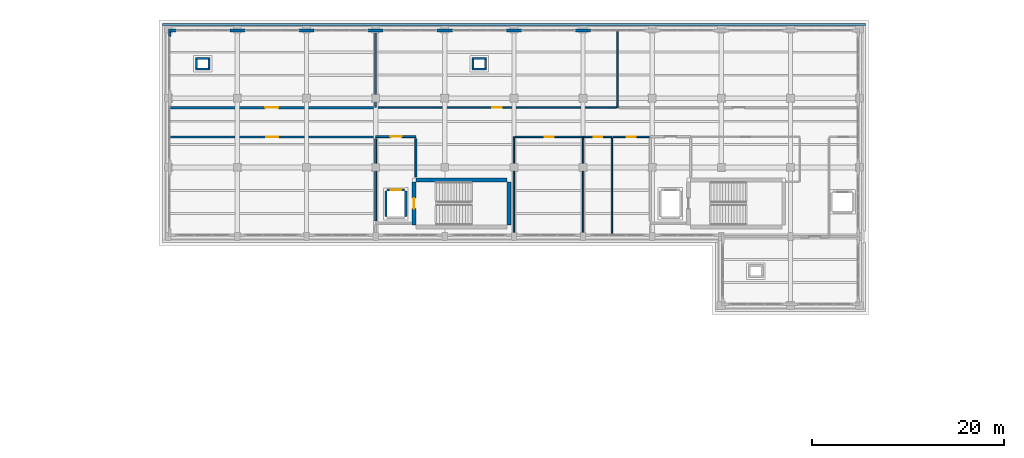
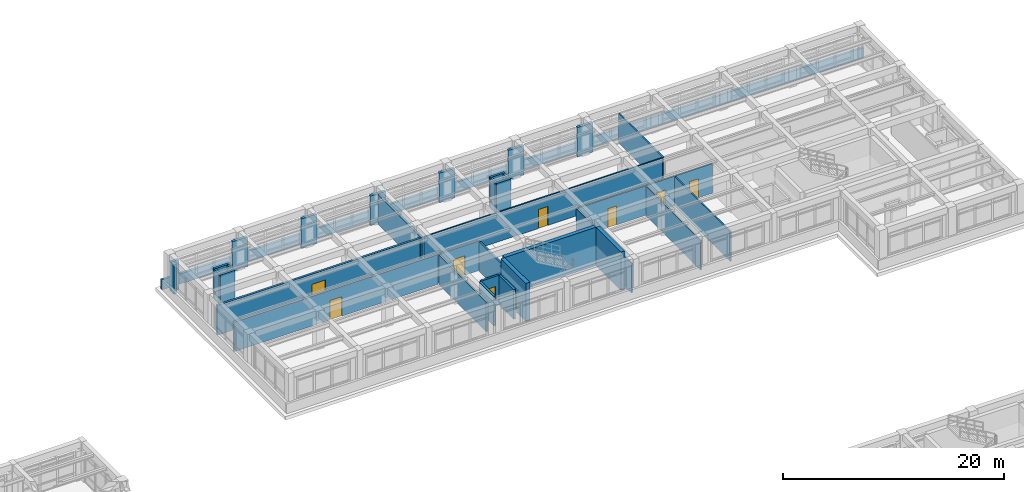
# One storey, part 86 of 98: 37 walls, 9 doors, 9 openings.
"""IFC4 building model written with IfcOpenShell, lengths in metres."""

from ifc_helpers import new_model, si_unit, direction, frame, frame_2d, origin, place, context, subcontext, project, spatial, rectangle, extrude, material, layer, layer_set, type_object, element, fill, save


model = new_model("IFC4")

# Units and contexts
model_context = context("Model", 3, precision=1e-05, world=origin(), true_north=direction((0.0, 1.0)))
body_context = subcontext(model_context, "Body", "Model", "MODEL_VIEW")
ifc_project = project(units=[si_unit("LENGTHUNIT", "METRE"), si_unit("AREAUNIT", "SQUARE_METRE"), si_unit("VOLUMEUNIT", "CUBIC_METRE"), si_unit("PLANEANGLEUNIT", "RADIAN"), si_unit("MASSUNIT", "GRAM", prefix="KILO")], contexts=[model_context])

# Site, building, storey
site_placement = place(None, origin())
site = spatial("IfcSite", under=ifc_project, at=site_placement, CompositionType="ELEMENT")
building_placement = place(site_placement, origin())
building = spatial("IfcBuilding", under=site, at=building_placement, Name="Solenvale Faculty of Natural Sciences", CompositionType="ELEMENT")
storey_placement = place(building_placement, frame((0.0, 0.0, 9.0)))
storey = spatial("IfcBuildingStorey", under=building, at=storey_placement, Name="L02", CompositionType="ELEMENT", Elevation=9.0)

# Walls
ifc_material_1 = material(Name="Precast concrete 40 MPa", Category="concrete")
ifc_layer_1 = layer(ifc_material_1, 0.284912109375)
ifc_layer_set_1 = layer_set([ifc_layer_1], Name="Precast concrete 40 MPa")
wall_type_1 = type_object("IfcWallType", Name="WL-EXT-PRC-285", PredefinedType="STANDARD", material=ifc_layer_set_1)
for number, where, z_axis, x_axis, name in (
    (1, (123.18798828125, 115.0576171875, 0.0), (0.0, 0.0, 1.0), (-1.0, 0.0, 0.0), "L02 Facade Closure Pier 4.B4-R"),
    (2, (115.988037109375, 115.0576171875, 0.0), (0.0, 0.0, 1.0), (-1.0, 0.0, 0.0), "L02 Facade Closure Pier 4.B5-R"),
):
    element("IfcWall", number, at=place(storey_placement, frame(where, z_axis=z_axis, x_axis=x_axis)), inside=storey, type_object=wall_type_1, Name=name, PredefinedType="STANDARD", context=body_context, shape_type="SweptSolid", body=[
        extrude(rectangle(XDim=1.575927734375, YDim=0.284912109375, at=frame_2d((0.7880859375, 0.0))), origin(), (0.0, 0.0, 1.0), 3.260009765625),
    ])
wall_1_placement = place(storey_placement, frame((108.7880859375, 115.0576171875, 0.0), z_axis=(0.0, 0.0, 1.0), x_axis=(-1.0, 0.0, 0.0)))
element("IfcWall", 3, at=wall_1_placement, inside=storey, type_object=wall_type_1, Name="L02 Facade Closure Pier 4.B6-R", PredefinedType="STANDARD", context=body_context, shape_type="SweptSolid", body=[
    extrude(rectangle(XDim=1.576171875, YDim=0.284912109375, at=frame_2d((0.7880859375, 0.0))), origin(), (0.0, 0.0, 1.0), 3.260009765625),
])
for number, where, z_axis, x_axis, name in (
    (4, (101.587890625, 115.0576171875, 0.0), (0.0, 0.0, 1.0), (-1.0, 0.0, 0.0), "L02 Facade Closure Pier 4.B7-R"),
    (5, (94.387939453125, 115.0576171875, 0.0), (0.0, 0.0, 1.0), (-1.0, 0.0, 0.0), "L02 Facade Closure Pier 4.B8-R"),
    (6, (87.18798828125, 115.0576171875, 0.0), (0.0, 0.0, 1.0), (-1.0, 0.0, 0.0), "L02 Facade Closure Pier 4.B9-R"),
):
    element("IfcWall", number, at=place(storey_placement, frame(where, z_axis=z_axis, x_axis=x_axis)), inside=storey, type_object=wall_type_1, Name=name, PredefinedType="STANDARD", context=body_context, shape_type="SweptSolid", body=[
        extrude(rectangle(XDim=1.575927734375, YDim=0.284912109375, at=frame_2d((0.7880859375, 0.0))), origin(), (0.0, 0.0, 1.0), 3.260009765625),
    ])
wall_2_placement = place(storey_placement, frame((79.988037109375, 115.0576171875, 0.0), z_axis=(0.0, 0.0, 1.0), x_axis=(-1.0, 0.0, 0.0)))
element("IfcWall", 7, at=wall_2_placement, inside=storey, type_object=wall_type_1, Name="L02 Facade Closure Pier 4.B10-R", PredefinedType="STANDARD", context=body_context, shape_type="SweptSolid", body=[
    extrude(rectangle(XDim=0.7880859375, YDim=0.284912109375, at=frame_2d((0.39404296875, 0.0))), origin(), (0.0, 0.0, 1.0), 3.260009765625),
])
wall_3_placement = place(storey_placement, frame((79.342529296875, 114.9150390625, 0.0), z_axis=(0.0, 0.0, 1.0), x_axis=(0.0, -1.0, 0.0)))
element("IfcWall", 8, at=wall_3_placement, inside=storey, type_object=wall_type_1, Name="L02 Facade Closure Pier 5.B1-L", PredefinedType="STANDARD", context=body_context, shape_type="SweptSolid", body=[
    extrude(rectangle(XDim=0.5029296875, YDim=0.284912109375, at=frame_2d((0.25146484375, 0.0))), origin(), (0.0, 0.0, 1.0), 3.260009765625),
])

# Wall, opening, door
ifc_material_2 = material(Name="Gypsum fire-rated shaftwall")
ifc_layer_2 = layer(ifc_material_2, 0.205078125)
ifc_layer_set_2 = layer_set([ifc_layer_2], Name="Gypsum fire-rated shaftwall")
wall_type_2 = type_object("IfcWallType", Name="WL-FFL-205", PredefinedType="PARTITIONING", material=ifc_layer_set_2)
wall_4_placement = place(storey_placement, frame((100.800048828125, 104.0, 0.0), z_axis=(0.0, 0.0, 1.0), x_axis=(1.0, 0.0, 0.0)))
wall_4 = element("IfcWall", 9, at=wall_4_placement, inside=storey, type_object=wall_type_2, Name="L02 Firefighting Lobby C4 Partition 1", PredefinedType="PARTITIONING", context=body_context, shape_type="SweptSolid", body=[
    extrude(rectangle(XDim=4.199951171875, YDim=0.205078125, at=frame_2d((2.10009765625, 0.0))), origin(), (0.0, 0.0, 1.0), 3.260009765625),
])
opening_1_placement = place(wall_4_placement, frame((1.5, 0.0, 0.0)))
opening_1 = element("IfcOpeningElement", 10, at=opening_1_placement, cuts=wall_4, Name="Opening D-L02-01", PredefinedType="OPENING", context=body_context, shape_type="SweptSolid", body=[
    extrude(rectangle(XDim=1.199951171875, YDim=2.14990234375, at=frame_2d((0.60009765625, 1.074951171875))), frame((0.0, 0.112548828125, 0.0), z_axis=(0.0, -1.0, 0.0), x_axis=(1.0, 0.0, 0.0)), (0.0, 0.0, 1.0), 0.22509765625),
])
ifc_material_3 = material(Name="Galvanised steel S355", Category="steel")
door_type_1 = type_object("IfcDoorType", Name="DR-FFL-1200x2150", OperationType="NOTDEFINED", PredefinedType="DOOR", material=ifc_material_3)
door_1_placement = place(opening_1_placement, origin())
door_1 = element("IfcDoor", 11, at=door_1_placement, inside=storey, type_object=door_type_1, Name="L02 Firefighting Lobby C4 Door", OperationType="SINGLE_SWING_RIGHT", OverallHeight=2.14990234375, OverallWidth=1.199951171875, PredefinedType="DOOR", context=body_context, shape_type="SweptSolid", body=[
    extrude(rectangle(XDim=1.199951171875, YDim=2.14990234375, at=frame_2d((0.60009765625, 1.074951171875))), frame((0.0, 0.02490234375, 0.0), z_axis=(0.0, -1.0, 0.0), x_axis=(1.0, 0.0, 0.0)), (0.0, 0.0, 1.0), 0.050048828125),
])
fill(opening_1, door_1)

# Walls
wall_5_placement = place(storey_placement, frame((105.0, 103.782958984375, 0.0), z_axis=(0.0, 0.0, 1.0), x_axis=(0.0, -1.0, 0.0)))
element("IfcWall", 12, at=wall_5_placement, inside=storey, type_object=wall_type_2, Name="L02 Firefighting Lobby C4 Partition 2", PredefinedType="PARTITIONING", context=body_context, shape_type="SweptSolid", body=[
    extrude(rectangle(XDim=3.9580078125, YDim=0.205078125, at=frame_2d((1.97900390625, 0.0))), origin(), (0.0, 0.0, 1.0), 3.260009765625),
])
wall_6_placement = place(storey_placement, frame((100.800048828125, 95.217041015625, 0.0), z_axis=(0.0, 0.0, 1.0), x_axis=(0.0, 1.0, 0.0)))
element("IfcWall", 13, at=wall_6_placement, inside=storey, type_object=wall_type_2, Name="L02 Firefighting Lobby C4 Partition 21", PredefinedType="PARTITIONING", context=body_context, shape_type="SweptSolid", body=[
    extrude(rectangle(XDim=8.56591796875, YDim=0.205078125, at=frame_2d((4.282958984375, 0.0))), origin(), (0.0, 0.0, 1.0), 3.260009765625),
])

# Wall, opening, door
ifc_material_4 = material(Name="Gypsum fire-rated laboratory partition")
ifc_layer_3 = layer(ifc_material_4, 0.2119140625)
ifc_layer_set_3 = layer_set([ifc_layer_3], Name="Gypsum fire-rated laboratory partition")
wall_type_3 = type_object("IfcWallType", Name="WL-LAB-212", PredefinedType="PARTITIONING", material=ifc_layer_set_3)
wall_7_placement = place(storey_placement, frame((79.383056640625, 103.97998046875, 0.0), z_axis=(0.0, 0.0, 1.0), x_axis=(1.0, 0.0, 0.0)))
wall_7 = element("IfcWall", 14, at=wall_7_placement, inside=storey, type_object=wall_type_3, Name="L02 Earth Sciences Teaching Laboratory Partition 2", PredefinedType="PARTITIONING", context=body_context, shape_type="SweptSolid", body=[
    extrude(rectangle(XDim=21.298828125, YDim=0.2119140625, at=frame_2d((10.6494140625, 0.0))), origin(), (0.0, 0.0, 1.0), 3.260009765625),
])
opening_2_placement = place(wall_7_placement, frame((10.02490234375, 0.0, 0.0)))
opening_2 = element("IfcOpeningElement", 15, at=opening_2_placement, cuts=wall_7, Name="Opening D-L02-09", PredefinedType="OPENING", context=body_context, shape_type="SweptSolid", body=[
    extrude(rectangle(XDim=1.25, YDim=2.14990234375, at=frame_2d((0.625, 1.074951171875))), frame((0.0, 0.115966796875, 0.0), z_axis=(0.0, -1.0, 0.0), x_axis=(1.0, 0.0, 0.0)), (0.0, 0.0, 1.0), 0.23193359375),
])
ifc_material_5 = material(Name="Oak acoustic timber leaf", Category="wood")
door_type_2 = type_object("IfcDoorType", Name="DR-LAB-1250x2150", OperationType="NOTDEFINED", PredefinedType="DOOR", material=ifc_material_5)
door_2_placement = place(opening_2_placement, origin())
door_2 = element("IfcDoor", 16, at=door_2_placement, inside=storey, type_object=door_type_2, Name="L02 Earth Sciences Teaching Laboratory Door", OperationType="SINGLE_SWING_RIGHT", OverallHeight=2.14990234375, OverallWidth=1.25, PredefinedType="DOOR", context=body_context, shape_type="SweptSolid", body=[
    extrude(rectangle(XDim=1.25, YDim=2.14990234375, at=frame_2d((0.625, 1.074951171875))), frame((0.0, 0.02490234375, 0.0), z_axis=(0.0, -1.0, 0.0), x_axis=(1.0, 0.0, 0.0)), (0.0, 0.0, 1.0), 0.050048828125),
])
fill(opening_2, door_2)

# Wall
ifc_layer_4 = layer(ifc_material_4, 0.22802734375)
ifc_layer_set_4 = layer_set([ifc_layer_4], Name="Gypsum fire-rated laboratory partition")
wall_type_4 = type_object("IfcWallType", Name="WL-LAB-228", PredefinedType="PARTITIONING", material=ifc_layer_set_4)
wall_8_placement = place(storey_placement, frame((100.800048828125, 114.7890625, 0.0), z_axis=(0.0, 0.0, 1.0), x_axis=(0.0, -1.0, 0.0)))
element("IfcWall", 17, at=wall_8_placement, inside=storey, type_object=wall_type_4, Name="L02 Environmental Genomics Laboratory Partition 3", PredefinedType="PARTITIONING", context=body_context, shape_type="SweptSolid", body=[
    extrude(rectangle(XDim=7.76904296875, YDim=0.22802734375, at=frame_2d((3.884521484375, 0.0))), origin(), (0.0, 0.0, 1.0), 3.260009765625),
])

# Wall, opening, door
wall_9_placement = place(storey_placement, frame((100.56005859375, 107.02001953125, 0.0), z_axis=(0.0, 0.0, 1.0), x_axis=(-1.0, 0.0, 0.0)))
wall_9 = element("IfcWall", 18, at=wall_9_placement, inside=storey, type_object=wall_type_4, Name="L02 Environmental Genomics Laboratory Partition 4", PredefinedType="PARTITIONING", context=body_context, shape_type="SweptSolid", body=[
    extrude(rectangle(XDim=21.177001953125, YDim=0.22802734375, at=frame_2d((10.58837890625, 0.0))), origin(), (0.0, 0.0, 1.0), 3.260009765625),
])
opening_3_placement = place(wall_9_placement, frame((9.89892578125, 0.0, 0.0)))
opening_3 = element("IfcOpeningElement", 19, at=opening_3_placement, cuts=wall_9, Name="Opening D-L02-14", PredefinedType="OPENING", context=body_context, shape_type="SweptSolid", body=[
    extrude(rectangle(XDim=1.3798828125, YDim=2.14990234375, at=frame_2d((0.68994140625, 1.074951171875))), frame((0.0, 0.1240234375, 0.0), z_axis=(0.0, -1.0, 0.0), x_axis=(1.0, 0.0, 0.0)), (0.0, 0.0, 1.0), 0.248046875),
])
door_type_3 = type_object("IfcDoorType", Name="DR-LAB-1380x2150", OperationType="NOTDEFINED", PredefinedType="DOOR", material=ifc_material_5)
door_3_placement = place(opening_3_placement, origin())
door_3 = element("IfcDoor", 20, at=door_3_placement, inside=storey, type_object=door_type_3, Name="L02 Environmental Genomics Laboratory Door", OperationType="SINGLE_SWING_LEFT", OverallHeight=2.14990234375, OverallWidth=1.3798828125, PredefinedType="DOOR", context=body_context, shape_type="SweptSolid", body=[
    extrude(rectangle(XDim=1.3798828125, YDim=2.14990234375, at=frame_2d((0.68994140625, 1.074951171875))), frame((0.0, 0.02490234375, 0.0), z_axis=(0.0, -1.0, 0.0), x_axis=(1.0, 0.0, 0.0)), (0.0, 0.0, 1.0), 0.050048828125),
])
fill(opening_3, door_3)

# Wall
ifc_material_6 = material(Name="Acoustic stud gypsum partition")
ifc_layer_5 = layer(ifc_material_6, 0.139892578125)
ifc_layer_set_5 = layer_set([ifc_layer_5], Name="Acoustic stud gypsum partition")
wall_type_5 = type_object("IfcWallType", Name="WL-OFF-140", PredefinedType="PARTITIONING", material=ifc_layer_set_5)
wall_10_placement = place(storey_placement, frame((126.0, 115.01708984375, 0.0), z_axis=(0.0, 0.0, 1.0), x_axis=(0.0, -1.0, 0.0)))
element("IfcWall", 21, at=wall_10_placement, inside=storey, type_object=wall_type_5, Name="L02 Faculty Staff Office Partition 3", PredefinedType="PARTITIONING", context=body_context, shape_type="SweptSolid", body=[
    extrude(rectangle(XDim=7.9970703125, YDim=0.139892578125, at=frame_2d((3.99853515625, 0.0))), origin(), (0.0, 0.0, 1.0), 3.260009765625),
])

# Wall, opening, door
wall_11_placement = place(storey_placement, frame((125.847900390625, 107.02001953125, 0.0), z_axis=(0.0, 0.0, 1.0), x_axis=(-1.0, 0.0, 0.0)))
wall_11 = element("IfcWall", 22, at=wall_11_placement, inside=storey, type_object=wall_type_5, Name="L02 Faculty Staff Office Partition 4", PredefinedType="PARTITIONING", context=body_context, shape_type="SweptSolid", body=[
    extrude(rectangle(XDim=24.851806640625, YDim=0.139892578125, at=frame_2d((12.42578125, 0.0))), origin(), (0.0, 0.0, 1.0), 3.260009765625),
])
opening_4_placement = place(wall_11_placement, frame((11.93603515625, 0.0, 0.0)))
opening_4 = element("IfcOpeningElement", 23, at=opening_4_placement, cuts=wall_11, Name="Opening D-L02-15", PredefinedType="OPENING", context=body_context, shape_type="SweptSolid", body=[
    extrude(rectangle(XDim=0.97998046875, YDim=2.10009765625, at=frame_2d((0.489990234375, 1.050048828125))), frame((0.0, 0.079833984375, 0.0), z_axis=(0.0, -1.0, 0.0), x_axis=(1.0, 0.0, 0.0)), (0.0, 0.0, 1.0), 0.159912109375),
])
door_type_4 = type_object("IfcDoorType", Name="DR-OFF-0980x2100", OperationType="NOTDEFINED", PredefinedType="DOOR", material=ifc_material_5)
door_4_placement = place(opening_4_placement, origin())
door_4 = element("IfcDoor", 24, at=door_4_placement, inside=storey, type_object=door_type_4, Name="L02 Faculty Staff Office Door", OperationType="SINGLE_SWING_RIGHT", OverallHeight=2.10009765625, OverallWidth=0.97998046875, PredefinedType="DOOR", context=body_context, shape_type="SweptSolid", body=[
    extrude(rectangle(XDim=0.97998046875, YDim=2.10009765625, at=frame_2d((0.489990234375, 1.050048828125))), frame((0.0, 0.02490234375, 0.0), z_axis=(0.0, -1.0, 0.0), x_axis=(1.0, 0.0, 0.0)), (0.0, 0.0, 1.0), 0.050048828125),
])
fill(opening_4, door_4)

wall_12_placement = place(storey_placement, frame((125.48193359375, 103.97998046875, 0.0), z_axis=(0.0, 0.0, 1.0), x_axis=(1.0, 0.0, 0.0)))
wall_12 = element("IfcWall", 25, at=wall_12_placement, inside=storey, type_object=wall_type_5, Name="L02 Instrument Preparation Room Partition 2", PredefinedType="PARTITIONING", context=body_context, shape_type="SweptSolid", body=[
    extrude(rectangle(XDim=3.836181640625, YDim=0.139892578125, at=frame_2d((1.91796875, 0.0))), origin(), (0.0, 0.0, 1.0), 3.260009765625),
])
opening_5_placement = place(wall_12_placement, frame((1.443115234375, 0.0, 0.0)))
opening_5 = element("IfcOpeningElement", 26, at=opening_5_placement, cuts=wall_12, Name="Opening D-L02-19", PredefinedType="OPENING", context=body_context, shape_type="SweptSolid", body=[
    extrude(rectangle(XDim=0.949951171875, YDim=2.10009765625, at=frame_2d((0.47509765625, 1.050048828125))), frame((0.0, 0.079833984375, 0.0), z_axis=(0.0, -1.0, 0.0), x_axis=(1.0, 0.0, 0.0)), (0.0, 0.0, 1.0), 0.159912109375),
])
door_type_5 = type_object("IfcDoorType", Name="DR-OFF-0950x2100", OperationType="NOTDEFINED", PredefinedType="DOOR", material=ifc_material_5)
door_5_placement = place(opening_5_placement, origin())
door_5 = element("IfcDoor", 27, at=door_5_placement, inside=storey, type_object=door_type_5, Name="L02 Instrument Preparation Room Door", OperationType="SINGLE_SWING_RIGHT", OverallHeight=2.10009765625, OverallWidth=0.949951171875, PredefinedType="DOOR", context=body_context, shape_type="SweptSolid", body=[
    extrude(rectangle(XDim=0.949951171875, YDim=2.10009765625, at=frame_2d((0.47509765625, 1.050048828125))), frame((0.0, 0.02490234375, 0.0), z_axis=(0.0, -1.0, 0.0), x_axis=(1.0, 0.0, 0.0)), (0.0, 0.0, 1.0), 0.050048828125),
])
fill(opening_5, door_5)

# Wall
ifc_material_7 = material(Name="Architectural bronze concrete 40 MPa", Category="concrete")
ifc_layer_6 = layer(ifc_material_7, 0.239990234375)
ifc_layer_set_6 = layer_set([ifc_layer_6], Name="Architectural bronze concrete 40 MPa")
wall_type_6 = type_object("IfcWallType", Name="WL-PAR-BRZ-240", PredefinedType="PARAPET", material=ifc_layer_set_6)
wall_13_placement = place(storey_placement, frame((78.60009765625, 115.679931640625, 0.0), z_axis=(0.0, 0.0, 1.0), x_axis=(1.0, 0.0, 0.0)))
element("IfcWall", 28, at=wall_13_placement, inside=storey, type_object=wall_type_6, Name="L02 Tower Horizontal Concrete Band 9", PredefinedType="PARAPET", context=body_context, shape_type="SweptSolid", body=[
    extrude(rectangle(XDim=73.199951171875, YDim=0.239990234375, at=frame_2d((36.60009765625, 0.0))), origin(), (0.0, 0.0, 1.0), 1.1201171875),
])

# Wall, opening, door
ifc_material_8 = material(Name="Concrete 40 MPa", Category="concrete")
ifc_layer_7 = layer(ifc_material_8, 0.219970703125)
ifc_layer_set_7 = layer_set([ifc_layer_7], Name="Concrete 40 MPa")
wall_type_7 = type_object("IfcWallType", Name="WL-SHF-220", PredefinedType="STANDARD", material=ifc_layer_set_7)
wall_14_placement = place(storey_placement, frame((101.97998046875, 98.429931640625, 0.0), z_axis=(0.0, 0.0, 1.0), x_axis=(1.0, 0.0, 0.0)))
wall_14 = element("IfcWall", 29, at=wall_14_placement, inside=storey, type_object=wall_type_7, Name="Elevator LF-01 L02 Shaft Wall N", PredefinedType="STANDARD", context=body_context, shape_type="SweptSolid", body=[
    extrude(rectangle(XDim=1.840087890625, YDim=0.219970703125, at=frame_2d((0.919921875, 0.0))), origin(), (0.0, 0.0, 1.0), 3.260009765625),
])
opening_6_placement = place(wall_14_placement, frame((0.3701171875, 0.0, 0.0)))
opening_6 = element("IfcOpeningElement", 30, at=opening_6_placement, cuts=wall_14, Name="Opening LD-LF-01-L02", PredefinedType="OPENING", context=body_context, shape_type="SweptSolid", body=[
    extrude(rectangle(XDim=1.10009765625, YDim=2.14990234375, at=frame_2d((0.550048828125, 1.074951171875))), frame((0.0, 0.119873046875, 0.0), z_axis=(0.0, -1.0, 0.0), x_axis=(1.0, 0.0, 0.0)), (0.0, 0.0, 1.0), 0.239990234375),
])
ifc_material_9 = material(Name="Stainless steel Grade 304", Category="steel")
door_type_6 = type_object("IfcDoorType", Name="DR-LIFT-1100x2150", OperationType="NOTDEFINED", PredefinedType="DOOR", material=ifc_material_9)
door_6_placement = place(opening_6_placement, origin())
door_6 = element("IfcDoor", 31, at=door_6_placement, inside=storey, type_object=door_type_6, Name="Elevator LF-01 L02 Sliding Landing Door", OperationType="SLIDING_TO_LEFT", OverallHeight=2.14990234375, OverallWidth=1.10009765625, PredefinedType="DOOR", context=body_context, shape_type="SweptSolid", body=[
    extrude(rectangle(XDim=1.10009765625, YDim=2.14990234375, at=frame_2d((0.550048828125, 1.074951171875))), frame((0.0, 0.02490234375, 0.0), z_axis=(0.0, -1.0, 0.0), x_axis=(1.0, 0.0, 0.0)), (0.0, 0.0, 1.0), 0.050048828125),
])
fill(opening_6, door_6)

# Walls
for number, where, z_axis, x_axis, name in (
    (32, (101.8701171875, 95.679931640625, 0.0), (0.0, 0.0, 1.0), (0.0, 1.0, 0.0), "Elevator LF-01 L02 Shaft Wall W"),
    (33, (103.929931640625, 95.679931640625, 0.0), (0.0, 0.0, 1.0), (0.0, 1.0, 0.0), "Elevator LF-01 L02 Shaft Wall E"),
):
    element("IfcWall", number, at=place(storey_placement, frame(where, z_axis=z_axis, x_axis=x_axis)), inside=storey, type_object=wall_type_7, Name=name, PredefinedType="STANDARD", context=body_context, shape_type="SweptSolid", body=[
        extrude(rectangle(XDim=2.64013671875, YDim=0.219970703125, at=frame_2d((1.320068359375, 0.0))), origin(), (0.0, 0.0, 1.0), 3.260009765625),
    ])
for number, where, z_axis, x_axis, name in (
    (34, (82.030029296875, 111.0400390625, 0.0), (0.0, 0.0, 1.0), (1.0, 0.0, 0.0), "L02 Service Riser Shaft 5 Wall S"),
    (35, (82.030029296875, 112.159912109375, 0.0), (0.0, 0.0, 1.0), (1.0, 0.0, 0.0), "L02 Service Riser Shaft 5 Wall N"),
):
    element("IfcWall", number, at=place(storey_placement, frame(where, z_axis=z_axis, x_axis=x_axis)), inside=storey, type_object=wall_type_7, Name=name, PredefinedType="STANDARD", context=body_context, shape_type="SweptSolid", body=[
        extrude(rectangle(XDim=1.5400390625, YDim=0.219970703125, at=frame_2d((0.77001953125, 0.0))), origin(), (0.0, 0.0, 1.0), 3.260009765625),
    ])
for number, where, z_axis, x_axis, name in (
    (36, (82.139892578125, 111.14990234375, 0.0), (0.0, 0.0, 1.0), (0.0, 1.0, 0.0), "L02 Service Riser Shaft 5 Wall W"),
    (37, (83.4599609375, 111.14990234375, 0.0), (0.0, 0.0, 1.0), (0.0, 1.0, 0.0), "L02 Service Riser Shaft 5 Wall E"),
):
    element("IfcWall", number, at=place(storey_placement, frame(where, z_axis=z_axis, x_axis=x_axis)), inside=storey, type_object=wall_type_7, Name=name, PredefinedType="STANDARD", context=body_context, shape_type="SweptSolid", body=[
        extrude(rectangle(XDim=0.900146484375, YDim=0.219970703125, at=frame_2d((0.4501953125, 0.0))), origin(), (0.0, 0.0, 1.0), 3.260009765625),
    ])
for number, where, z_axis, x_axis, name in (
    (38, (110.830078125, 111.0400390625, 0.0), (0.0, 0.0, 1.0), (1.0, 0.0, 0.0), "L02 Service Riser Shaft 6 Wall S"),
    (39, (110.830078125, 112.159912109375, 0.0), (0.0, 0.0, 1.0), (1.0, 0.0, 0.0), "L02 Service Riser Shaft 6 Wall N"),
):
    element("IfcWall", number, at=place(storey_placement, frame(where, z_axis=z_axis, x_axis=x_axis)), inside=storey, type_object=wall_type_7, Name=name, PredefinedType="STANDARD", context=body_context, shape_type="SweptSolid", body=[
        extrude(rectangle(XDim=1.5400390625, YDim=0.219970703125, at=frame_2d((0.77001953125, 0.0))), origin(), (0.0, 0.0, 1.0), 3.260009765625),
    ])
for number, where, z_axis, x_axis, name in (
    (40, (110.93994140625, 111.14990234375, 0.0), (0.0, 0.0, 1.0), (0.0, 1.0, 0.0), "L02 Service Riser Shaft 6 Wall W"),
    (41, (112.260009765625, 111.14990234375, 0.0), (0.0, 0.0, 1.0), (0.0, 1.0, 0.0), "L02 Service Riser Shaft 6 Wall E"),
):
    element("IfcWall", number, at=place(storey_placement, frame(where, z_axis=z_axis, x_axis=x_axis)), inside=storey, type_object=wall_type_7, Name=name, PredefinedType="STANDARD", context=body_context, shape_type="SweptSolid", body=[
        extrude(rectangle(XDim=0.900146484375, YDim=0.219970703125, at=frame_2d((0.4501953125, 0.0))), origin(), (0.0, 0.0, 1.0), 3.260009765625),
    ])
ifc_material_10 = material(Name="Concrete 50 MPa", Category="concrete")
ifc_layer_8 = layer(ifc_material_10, 0.409912109375)
ifc_layer_set_8 = layer_set([ifc_layer_8], Name="Concrete 50 MPa")
wall_type_8 = type_object("IfcWallType", Name="WL-SHR-410", PredefinedType="SHEAR", material=ifc_layer_set_8)
wall_15_placement = place(storey_placement, frame((105.0, 99.5048828125, 0.0), z_axis=(0.0, 0.0, 1.0), x_axis=(1.0, 0.0, 0.0)))
element("IfcWall", 42, at=wall_15_placement, inside=storey, type_object=wall_type_8, Name="Core C4 L02 Shear Wall N", PredefinedType="SHEAR", context=body_context, shape_type="SweptSolid", body=[
    extrude(rectangle(XDim=9.5, YDim=0.409912109375, at=frame_2d((4.75, 0.0))), origin(), (0.0, 0.0, 1.0), 4.219970703125),
])

# Wall, opening, door
wall_16_placement = place(storey_placement, frame((104.794921875, 94.800048828125, 0.0), z_axis=(0.0, 0.0, 1.0), x_axis=(0.0, 1.0, 0.0)))
wall_16 = element("IfcWall", 43, at=wall_16_placement, inside=storey, type_object=wall_type_8, Name="Core C4 L02 Shear Wall W", PredefinedType="SHEAR", context=body_context, shape_type="SweptSolid", body=[
    extrude(rectangle(XDim=4.5, YDim=0.409912109375, at=frame_2d((2.25, 0.0))), origin(), (0.0, 0.0, 1.0), 4.219970703125),
])
opening_7_placement = place(wall_16_placement, frame((1.699951171875, 0.0, 0.0)))
opening_7 = element("IfcOpeningElement", 44, at=opening_7_placement, cuts=wall_16, Name="Opening DS-C4-L02", PredefinedType="OPENING", context=body_context, shape_type="SweptSolid", body=[
    extrude(rectangle(XDim=1.10009765625, YDim=2.14990234375, at=frame_2d((0.550048828125, 1.074951171875))), frame((0.0, 0.21484375, 0.0), z_axis=(0.0, -1.0, 0.0), x_axis=(1.0, 0.0, 0.0)), (0.0, 0.0, 1.0), 0.429931640625),
])
door_type_7 = type_object("IfcDoorType", Name="DR-STAIR-1100x2150", OperationType="NOTDEFINED", PredefinedType="DOOR", material=ifc_material_3)
door_7_placement = place(opening_7_placement, origin())
door_7 = element("IfcDoor", 45, at=door_7_placement, inside=storey, type_object=door_type_7, Name="L02 Stair ST-04 Fire Door", OperationType="SINGLE_SWING_LEFT", OverallHeight=2.14990234375, OverallWidth=1.10009765625, PredefinedType="DOOR", context=body_context, shape_type="SweptSolid", body=[
    extrude(rectangle(XDim=1.10009765625, YDim=2.14990234375, at=frame_2d((0.550048828125, 1.074951171875))), frame((0.0, 0.02490234375, 0.0), z_axis=(0.0, -1.0, 0.0), x_axis=(1.0, 0.0, 0.0)), (0.0, 0.0, 1.0), 0.050048828125),
])
fill(opening_7, door_7)

# Walls
wall_17_placement = place(storey_placement, frame((114.705078125, 94.800048828125, 0.0), z_axis=(0.0, 0.0, 1.0), x_axis=(0.0, 1.0, 0.0)))
element("IfcWall", 46, at=wall_17_placement, inside=storey, type_object=wall_type_8, Name="Core C4 L02 Shear Wall E", PredefinedType="SHEAR", context=body_context, shape_type="SweptSolid", body=[
    extrude(rectangle(XDim=4.5, YDim=0.409912109375, at=frame_2d((2.25, 0.0))), origin(), (0.0, 0.0, 1.0), 4.219970703125),
])
ifc_material_11 = material(Name="Moisture-resistant tile partition")
ifc_layer_9 = layer(ifc_material_11, 0.14990234375)
ifc_layer_set_9 = layer_set([ifc_layer_9], Name="Moisture-resistant tile partition")
wall_type_9 = type_object("IfcWallType", Name="WL-WC-150", PredefinedType="PARTITIONING", material=ifc_layer_set_9)
wall_18_placement = place(storey_placement, frame((115.199951171875, 93.971923828125, 0.0), z_axis=(0.0, 0.0, 1.0), x_axis=(0.0, 1.0, 0.0)))
element("IfcWall", 47, at=wall_18_placement, inside=storey, type_object=wall_type_9, Name="L02 Public Washroom Partition 1", PredefinedType="PARTITIONING", context=body_context, shape_type="SweptSolid", body=[
    extrude(rectangle(XDim=10.008056640625, YDim=0.14990234375, at=frame_2d((5.00390625, 0.0))), origin(), (0.0, 0.0, 1.0), 3.260009765625),
])

# Wall, opening, door
wall_19_placement = place(storey_placement, frame((115.362060546875, 103.97998046875, 0.0), z_axis=(0.0, 0.0, 1.0), x_axis=(1.0, 0.0, 0.0)))
wall_19 = element("IfcWall", 48, at=wall_19_placement, inside=storey, type_object=wall_type_9, Name="L02 Public Washroom Partition 2", PredefinedType="PARTITIONING", context=body_context, shape_type="SweptSolid", body=[
    extrude(rectangle(XDim=7.037841796875, YDim=0.14990234375, at=frame_2d((3.51904296875, 0.0))), origin(), (0.0, 0.0, 1.0), 3.260009765625),
])
opening_8_placement = place(wall_19_placement, frame((3.069091796875, 0.0, 0.0)))
opening_8 = element("IfcOpeningElement", 49, at=opening_8_placement, cuts=wall_19, Name="Opening D-L02-17", PredefinedType="OPENING", context=body_context, shape_type="SweptSolid", body=[
    extrude(rectangle(XDim=0.89990234375, YDim=2.10009765625, at=frame_2d((0.449951171875, 1.050048828125))), frame((0.0, 0.0849609375, 0.0), z_axis=(0.0, -1.0, 0.0), x_axis=(1.0, 0.0, 0.0)), (0.0, 0.0, 1.0), 0.169921875),
])
door_type_8 = type_object("IfcDoorType", Name="DR-WC-0900x2100", OperationType="NOTDEFINED", PredefinedType="DOOR", material=ifc_material_5)
door_8_placement = place(opening_8_placement, origin())
door_8 = element("IfcDoor", 50, at=door_8_placement, inside=storey, type_object=door_type_8, Name="L02 Public Washroom Door", OperationType="SINGLE_SWING_RIGHT", OverallHeight=2.10009765625, OverallWidth=0.89990234375, PredefinedType="DOOR", context=body_context, shape_type="SweptSolid", body=[
    extrude(rectangle(XDim=0.89990234375, YDim=2.10009765625, at=frame_2d((0.449951171875, 1.050048828125))), frame((0.0, 0.02490234375, 0.0), z_axis=(0.0, -1.0, 0.0), x_axis=(1.0, 0.0, 0.0)), (0.0, 0.0, 1.0), 0.050048828125),
])
fill(opening_8, door_8)

# Wall
wall_20_placement = place(storey_placement, frame((122.39990234375, 103.818115234375, 0.0), z_axis=(0.0, 0.0, 1.0), x_axis=(0.0, -1.0, 0.0)))
element("IfcWall", 51, at=wall_20_placement, inside=storey, type_object=wall_type_9, Name="L02 Public Washroom Partition 3", PredefinedType="PARTITIONING", context=body_context, shape_type="SweptSolid", body=[
    extrude(rectangle(XDim=9.84619140625, YDim=0.14990234375, at=frame_2d((4.923095703125, 0.0))), origin(), (0.0, 0.0, 1.0), 3.260009765625),
])

# Wall, opening, door
wall_21_placement = place(storey_placement, frame((122.487060546875, 103.97998046875, 0.0), z_axis=(0.0, 0.0, 1.0), x_axis=(1.0, 0.0, 0.0)))
wall_21 = element("IfcWall", 52, at=wall_21_placement, inside=storey, type_object=wall_type_9, Name="L02 Accessible Washroom Partition 2", PredefinedType="PARTITIONING", context=body_context, shape_type="SweptSolid", body=[
    extrude(rectangle(XDim=2.912841796875, YDim=0.14990234375, at=frame_2d((1.45654296875, 0.0))), origin(), (0.0, 0.0, 1.0), 3.260009765625),
])
opening_9_placement = place(wall_21_placement, frame((1.01708984375, 0.0, 0.0)))
opening_9 = element("IfcOpeningElement", 53, at=opening_9_placement, cuts=wall_21, Name="Opening D-L02-18", PredefinedType="OPENING", context=body_context, shape_type="SweptSolid", body=[
    extrude(rectangle(XDim=0.8798828125, YDim=2.10009765625, at=frame_2d((0.43994140625, 1.050048828125))), frame((0.0, 0.0849609375, 0.0), z_axis=(0.0, -1.0, 0.0), x_axis=(1.0, 0.0, 0.0)), (0.0, 0.0, 1.0), 0.169921875),
])
door_type_9 = type_object("IfcDoorType", Name="DR-WC-0880x2100", OperationType="NOTDEFINED", PredefinedType="DOOR", material=ifc_material_5)
door_9_placement = place(opening_9_placement, origin())
door_9 = element("IfcDoor", 54, at=door_9_placement, inside=storey, type_object=door_type_9, Name="L02 Accessible Washroom Door", OperationType="SINGLE_SWING_LEFT", OverallHeight=2.10009765625, OverallWidth=0.8798828125, PredefinedType="DOOR", context=body_context, shape_type="SweptSolid", body=[
    extrude(rectangle(XDim=0.8798828125, YDim=2.10009765625, at=frame_2d((0.43994140625, 1.050048828125))), frame((0.0, 0.02490234375, 0.0), z_axis=(0.0, -1.0, 0.0), x_axis=(1.0, 0.0, 0.0)), (0.0, 0.0, 1.0), 0.050048828125),
])
fill(opening_9, door_9)

# Wall
wall_22_placement = place(storey_placement, frame((125.39990234375, 103.818115234375, 0.0), z_axis=(0.0, 0.0, 1.0), x_axis=(0.0, -1.0, 0.0)))
element("IfcWall", 55, at=wall_22_placement, inside=storey, type_object=wall_type_9, Name="L02 Accessible Washroom Partition 3", PredefinedType="PARTITIONING", context=body_context, shape_type="SweptSolid", body=[
    extrude(rectangle(XDim=10.03515625, YDim=0.14990234375, at=frame_2d((5.017578125, 0.0))), origin(), (0.0, 0.0, 1.0), 3.260009765625),
])

save(model, "model.ifc")
